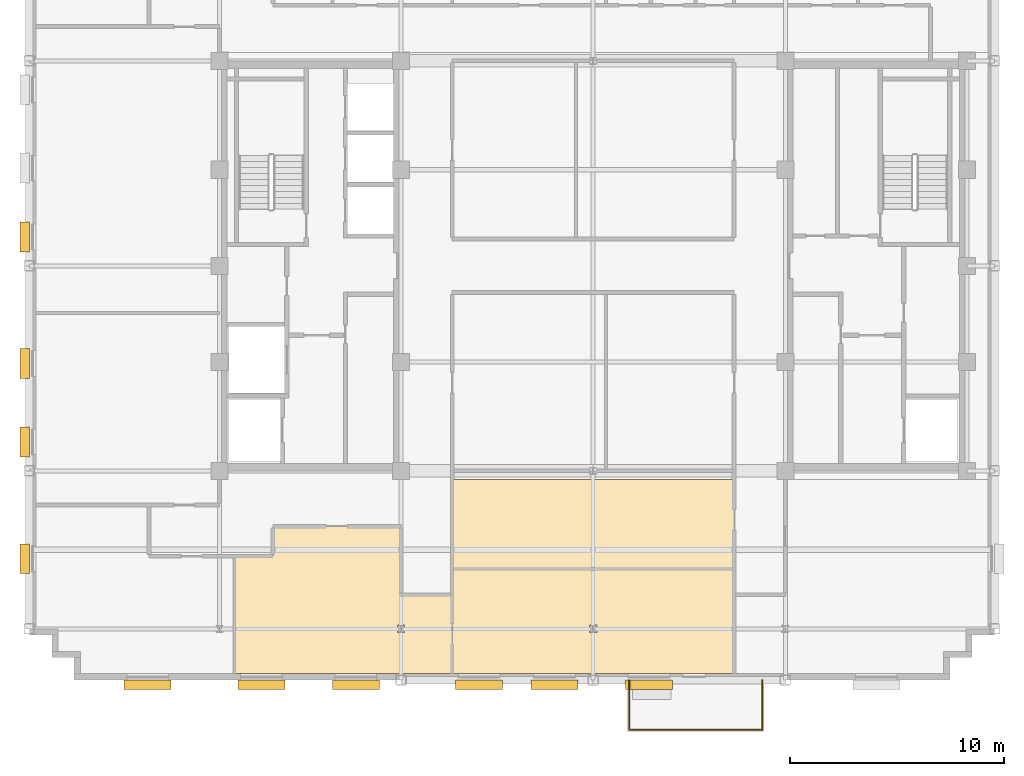
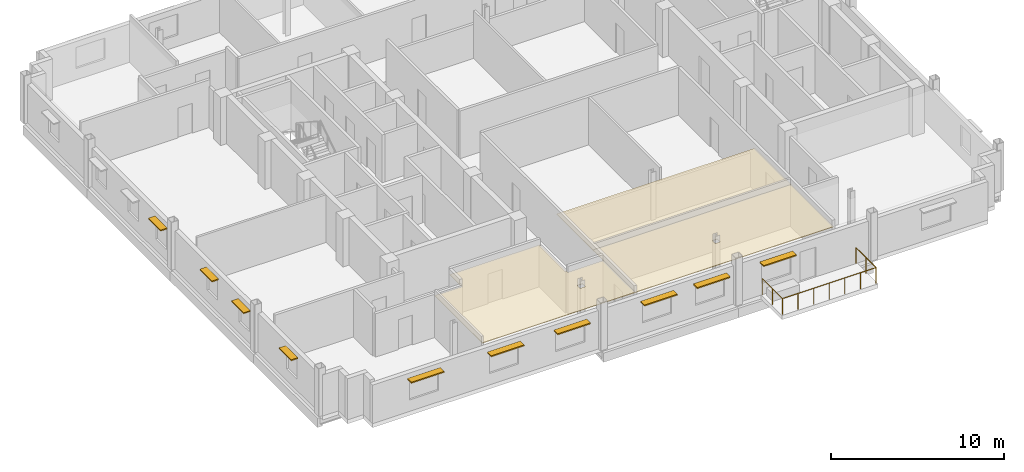
# One storey, part 10 of 13: 10 shading devices, 3 coverings, 1 railing.
"""IFC4 building model written with IfcOpenShell, lengths in metres."""

from ifc_helpers import new_model, si_unit, direction, frame, origin, origin_2d, place, context, subcontext, project, spatial, polyline, rectangle, circle, outline, extrude, source, transform, mapped, material, layer, layer_set, type_object, type_shapes, element, save


model = new_model("IFC4")

# Units and contexts
model_context = context("Model", 3, precision=1e-05, world=origin(), true_north=direction((0.0, 1.0)))
body_context = subcontext(model_context, "Body", "Model", "MODEL_VIEW")
ifc_project = project(units=[si_unit("LENGTHUNIT", "METRE"), si_unit("AREAUNIT", "SQUARE_METRE"), si_unit("VOLUMEUNIT", "CUBIC_METRE"), si_unit("PLANEANGLEUNIT", "RADIAN"), si_unit("MASSUNIT", "GRAM", prefix="KILO")], contexts=[model_context])

# Site, building, storey
site_placement = place(None, origin())
site = spatial("IfcSite", under=ifc_project, at=site_placement, CompositionType="ELEMENT")
building_placement = place(site_placement, origin())
building = spatial("IfcBuilding", under=site, at=building_placement, Name="Nuvemarco Arch Tower", CompositionType="ELEMENT")
storey_placement = place(building_placement, frame((0.0, 0.0, 231.050048828125)))
storey = spatial("IfcBuildingStorey", under=building, at=storey_placement, Name="L61", CompositionType="ELEMENT", Elevation=231.050048828125)

# Coverings
ifc_material_1 = material(Name="Mineral acoustic ceiling tile")
ifc_layer = layer(ifc_material_1, 0.0400390625, Name="COV-ACOUSTIC-CLG")
ifc_layer_set = layer_set([ifc_layer], Name="Mineral acoustic ceiling tile")
covering_type = type_object("IfcCoveringType", Name="COV-ACOUSTIC-CLG", PredefinedType="CEILING", material=ifc_layer_set)
covering_1_placement = place(storey_placement, frame((0.0, 0.0, 2.849853515625)))
element("IfcCovering", 1, at=covering_1_placement, inside=storey, type_object=covering_type, Name="L61 suspended acoustic ceiling 3", PredefinedType="CEILING", context=body_context, shape_type="SweptSolid", body=[
    extrude(outline(polyline([(6.60009765625, -15.39990234375), (6.60009765625, -19.10009765625), (-6.60009765625, -19.10009765625), (-6.60009765625, -15.39990234375), (-6.60009765625, -14.199951171875), (6.60009765625, -14.199951171875), (6.60009765625, -15.39990234375)]), holes=[polyline([(0.169921875, -17.169921875), (0.169921875, -16.830078125), (-0.169921875, -16.830078125), (-0.169921875, -17.169921875), (0.169921875, -17.169921875)])]), origin(), (0.0, 0.0, 1.0), 0.0400390625),
])
covering_2_placement = place(storey_placement, frame((0.0, 0.0, 2.849853515625)))
element("IfcCovering", 2, at=covering_2_placement, inside=storey, type_object=covering_type, Name="L61 suspended acoustic ceiling 4", PredefinedType="CEILING", context=body_context, shape_type="SweptSolid", body=[
    extrude(outline(polyline([(6.60009765625, -14.199951171875), (-6.60009765625, -14.199951171875), (-6.60009765625, -12.199951171875), (-6.60009765625, -10.0), (6.60009765625, -10.0), (6.60009765625, -14.199951171875)])), origin(), (0.0, 0.0, 1.0), 0.0400390625),
])
covering_3_placement = place(storey_placement, frame((0.0, 0.0, 2.849853515625)))
element("IfcCovering", 3, at=covering_3_placement, inside=storey, type_object=covering_type, Name="L61 suspended acoustic ceiling 5", PredefinedType="CEILING", context=body_context, shape_type="SweptSolid", body=[
    extrude(outline(polyline([(-9.0, -12.199951171875), (-9.0, -15.39990234375), (-6.60009765625, -15.39990234375), (-6.60009765625, -19.10009765625), (-16.800048828125, -19.10009765625), (-16.800048828125, -13.60009765625), (-15.0, -13.60009765625), (-15.0, -12.199951171875), (-9.0, -12.199951171875)]), holes=[polyline([(-8.830078125, -16.830078125), (-9.169921875, -16.830078125), (-9.169921875, -17.169921875), (-8.830078125, -17.169921875), (-8.830078125, -16.830078125)])]), origin(), (0.0, 0.0, 1.0), 0.0400390625),
])

# Railing
ifc_material_2 = material(Name="Dark anodised balustrade steel S355", Category="steel")
railing_type = type_object("IfcRailingType", Name="RL-TERR-GUARD", PredefinedType="BALUSTRADE", material=ifc_material_2)
railing_placement = place(storey_placement, frame((1.679931640625, -19.39990234375, 0.0)))
element("IfcRailing", 4, at=railing_placement, inside=storey, type_object=railing_type, Name="L61 spiral terrace perimeter balustrade guard", PredefinedType="BALUSTRADE", context=body_context, shape_type="SweptSolid", body=[
    extrude(circle(Radius=0.02392578125, at=origin_2d()), frame((0.0, 0.0, 1.1259765625), z_axis=(0.0, -1.0, 0.0), x_axis=(1.0, 0.0, 0.0)), (0.0, 0.0, 1.0), 2.320068359375),
    extrude(circle(Radius=0.02392578125, at=origin_2d()), frame((0.0, -2.320068359375, 1.1259765625), z_axis=(1.0, 0.0, 0.0), x_axis=(0.0, 1.0, 0.0)), (0.0, 0.0, 1.0), 6.239990234375),
    extrude(circle(Radius=0.02392578125, at=origin_2d()), frame((6.239990234375, -2.320068359375, 1.1259765625), z_axis=(0.0, 1.0, 0.0), x_axis=(-1.0, 0.0, 0.0)), (0.0, 0.0, 1.0), 2.320068359375),
    extrude(circle(Radius=0.02099609375, at=origin_2d()), origin(), (0.0, 0.0, 1.0), 1.101806640625),
    extrude(circle(Radius=0.02099609375, at=origin_2d()), frame((0.0, -1.16015625, 0.0)), (0.0, 0.0, 1.0), 1.101806640625),
    extrude(circle(Radius=0.02099609375, at=origin_2d()), frame((0.0, -2.320068359375, 0.0)), (0.0, 0.0, 1.0), 1.101806640625),
    extrude(circle(Radius=0.02099609375, at=origin_2d()), frame((1.0400390625, -2.320068359375, 0.0)), (0.0, 0.0, 1.0), 1.101806640625),
    extrude(circle(Radius=0.02099609375, at=origin_2d()), frame((2.080078125, -2.320068359375, 0.0)), (0.0, 0.0, 1.0), 1.101806640625),
    extrude(circle(Radius=0.02099609375, at=origin_2d()), frame((3.1201171875, -2.320068359375, 0.0)), (0.0, 0.0, 1.0), 1.101806640625),
    extrude(circle(Radius=0.02099609375, at=origin_2d()), frame((4.159912109375, -2.320068359375, 0.0)), (0.0, 0.0, 1.0), 1.101806640625),
    extrude(circle(Radius=0.02099609375, at=origin_2d()), frame((5.199951171875, -2.320068359375, 0.0)), (0.0, 0.0, 1.0), 1.101806640625),
    extrude(circle(Radius=0.02099609375, at=origin_2d()), frame((6.239990234375, -2.320068359375, 0.0)), (0.0, 0.0, 1.0), 1.101806640625),
    extrude(circle(Radius=0.02099609375, at=origin_2d()), frame((6.239990234375, -1.16015625, 0.0)), (0.0, 0.0, 1.0), 1.101806640625),
    extrude(circle(Radius=0.02099609375, at=origin_2d()), frame((6.239990234375, 0.0, 0.0)), (0.0, 0.0, 1.0), 1.101806640625),
])

# Shading devices
ifc_material_3 = material(Name="Anodised aluminium 6063-T6", Category="aluminium")
shading_device_type_1 = type_object("IfcShadingDeviceType", Name="SHD-BRISE-SOLEIL", PredefinedType="USERDEFINED", material=ifc_material_3)
shared_shape_1 = source(origin(), body_context, "Body", "SweptSolid", [
    extrude(rectangle(XDim=2.199951171875, YDim=0.449951171875, at=origin_2d()), origin(), (0.0, 0.0, 1.0), 0.080078125),
])
type_shapes(shading_device_type_1, [shared_shape_1])
for number, where, z_axis, x_axis, name in (
    (5, (-20.862548828125, -19.614990234375, 2.284912109375), (0.0, 0.0, 1.0), (1.0, 0.0, 0.0), "L61 horizontal brise-soleil sunshade"),
    (6, (-15.53759765625, -19.614990234375, 2.284912109375), (0.0, 0.0, 1.0), (1.0, 0.0, 0.0), "L61 horizontal brise-soleil sunshade"),
    (7, (-11.112548828125, -19.614990234375, 2.284912109375), (0.0, 0.0, 1.0), (1.0, 0.0, 0.0), "L61 horizontal brise-soleil sunshade"),
    (8, (-5.33740234375, -19.614990234375, 2.284912109375), (0.0, 0.0, 1.0), (1.0, 0.0, 0.0), "L61 horizontal brise-soleil sunshade"),
    (9, (-1.8125, -19.614990234375, 2.284912109375), (0.0, 0.0, 1.0), (1.0, 0.0, 0.0), "L61 horizontal brise-soleil sunshade"),
    (10, (2.612548828125, -19.614990234375, 2.284912109375), (0.0, 0.0, 1.0), (1.0, 0.0, 0.0), "L61 horizontal brise-soleil sunshade"),
):
    element("IfcShadingDevice", number, at=place(storey_placement, frame(where, z_axis=z_axis, x_axis=x_axis)), inside=storey, type_object=shading_device_type_1, Name=name, ObjectType="SUNSHADE", PredefinedType="USERDEFINED", context=body_context, shape_type="MappedRepresentation", body=[
        mapped(shared_shape_1, transform((0.0, 0.0, 0.0), scale=1.0)),
    ])
shading_device_type_2 = type_object("IfcShadingDeviceType", Name="SHD-BRISE-NARROW", PredefinedType="USERDEFINED", material=ifc_material_3)
shared_shape_2 = source(origin(), body_context, "Body", "SweptSolid", [
    extrude(rectangle(XDim=1.39990234375, YDim=0.449951171875, at=origin_2d()), origin(), (0.0, 0.0, 1.0), 0.080078125),
])
type_shapes(shading_device_type_2, [shared_shape_2])
for number, where, z_axis, x_axis, name in (
    (11, (-26.614990234375, -13.7177734375, 2.284912109375), (0.0, 0.0, 1.0), (0.0, 1.0, 0.0), "L61 horizontal brise-soleil sunshade"),
    (12, (-26.614990234375, -8.2451171875, 2.284912109375), (0.0, 0.0, 1.0), (0.0, 1.0, 0.0), "L61 horizontal brise-soleil sunshade"),
    (13, (-26.614990234375, -4.572509765625, 2.284912109375), (0.0, 0.0, 1.0), (0.0, 1.0, 0.0), "L61 horizontal brise-soleil sunshade"),
    (14, (-26.614990234375, 1.35009765625, 2.284912109375), (0.0, 0.0, 1.0), (0.0, 1.0, 0.0), "L61 horizontal brise-soleil sunshade"),
):
    element("IfcShadingDevice", number, at=place(storey_placement, frame(where, z_axis=z_axis, x_axis=x_axis)), inside=storey, type_object=shading_device_type_2, Name=name, ObjectType="SUNSHADE", PredefinedType="USERDEFINED", context=body_context, shape_type="MappedRepresentation", body=[
        mapped(shared_shape_2, transform((0.0, 0.0, 0.0), scale=1.0)),
    ])

save(model, "model.ifc")
